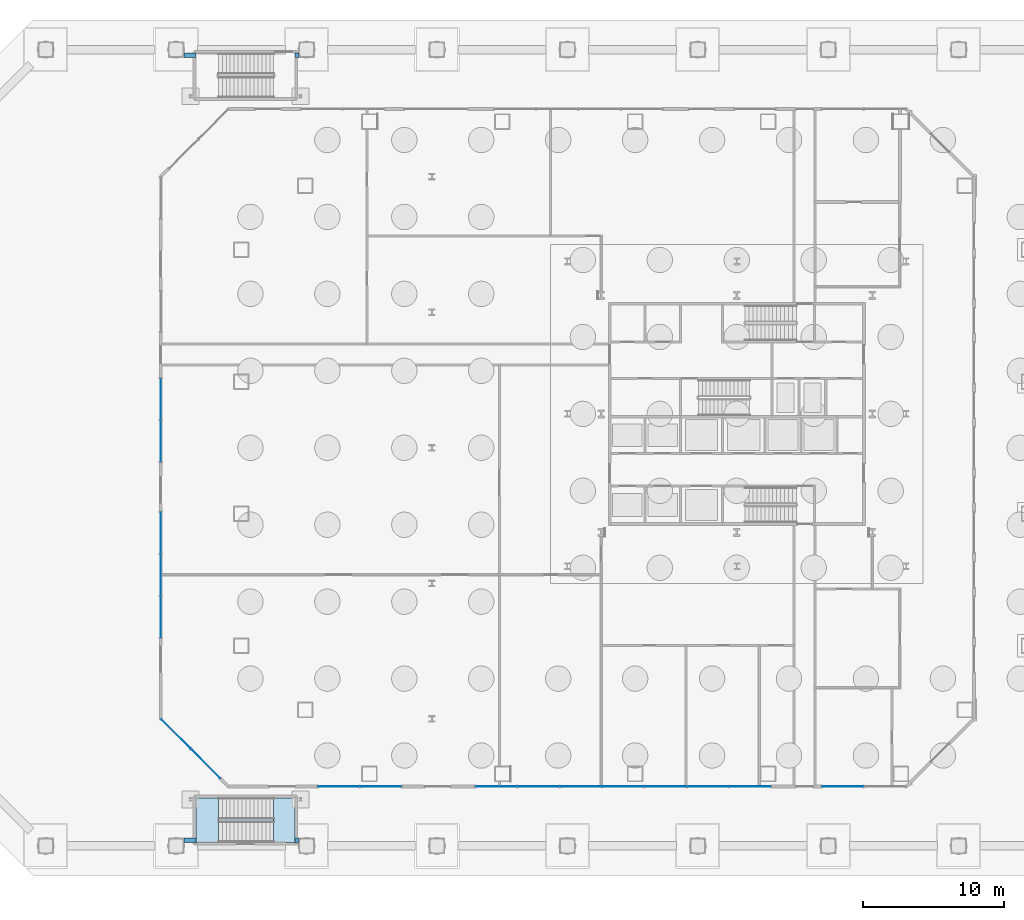
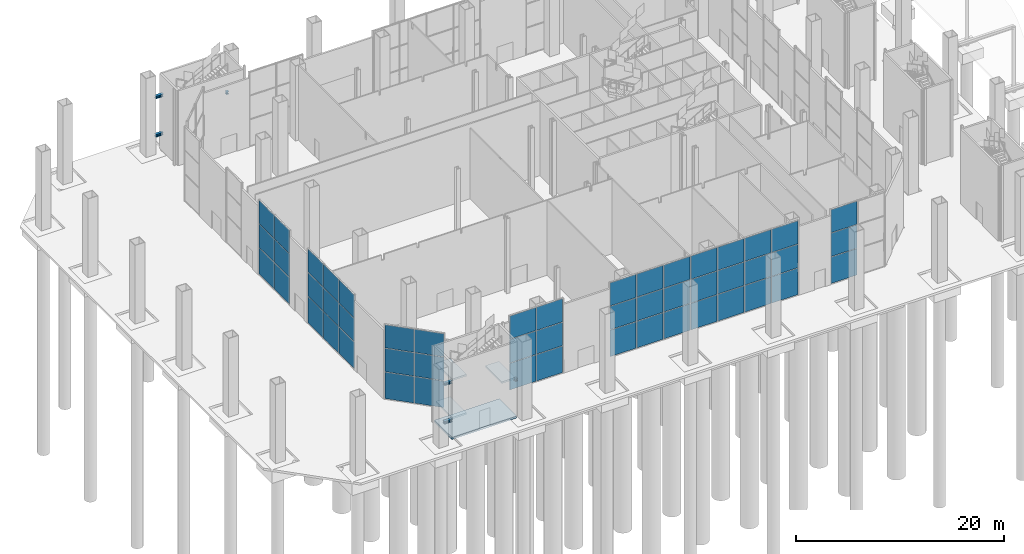
# One storey, part 20 of 38: 51 plates, 6 beams, 4 slabs, 7 elements without a shape of their own.
"""IFC4 building model written with IfcOpenShell, lengths in metres."""

from ifc_helpers import new_model, si_unit, direction, frame, origin, origin_2d, place, context, subcontext, project, spatial, polyline, rectangle, i_section, outline, extrude, material, layer, layer_set, material_profile, profile_set, type_object, element, aggregate, save


model = new_model("IFC4")

# Units and contexts
model_context = context("Model", 3, precision=1e-05, world=origin(), true_north=direction((0.0, 1.0)))
body_context = subcontext(model_context, "Body", "Model", "MODEL_VIEW")
ifc_project = project(units=[si_unit("LENGTHUNIT", "METRE"), si_unit("AREAUNIT", "SQUARE_METRE"), si_unit("VOLUMEUNIT", "CUBIC_METRE"), si_unit("PLANEANGLEUNIT", "RADIAN"), si_unit("MASSUNIT", "GRAM", prefix="KILO")], contexts=[model_context])

# Site, building, storey
site_placement = place(None, origin())
site = spatial("IfcSite", under=ifc_project, at=site_placement, CompositionType="ELEMENT")
building_placement = place(site_placement, origin())
building = spatial("IfcBuilding", under=site, at=building_placement, Name="Cairn Pilgrim Tower", CompositionType="ELEMENT")
storey_placement = place(building_placement, origin())
storey = spatial("IfcBuildingStorey", under=building, at=storey_placement, Name="L00", CompositionType="ELEMENT", Elevation=0.0)

# Beams
ifc_material_1 = material(Name="Structural steel S355J2", Category="steel")
ifc_material_profile = material_profile(ifc_material_1, i_section(OverallWidth=0.300048828125, OverallDepth=0.300048828125, WebThickness=0.010986328125, FlangeThickness=0.01904296875, FilletRadius=0.027099609375, at=origin_2d()), Name="HE 300 B")
ifc_profile_set = profile_set([ifc_material_profile], Name="Structural steel S355J2")
beam_type = type_object("IfcBeamType", Name="STAIR LANDING BRACKET HE 300 B", PredefinedType="BEAM", material=ifc_profile_set)
beam_1_placement = place(storey_placement, frame((-31.963623046875, 27.800048828125, 1.89990234375), z_axis=(1.0, 0.0, 0.0), x_axis=(0.0, 1.0, 0.0)))
element("IfcBeam", 1, at=beam_1_placement, inside=storey, type_object=beam_type, Name="STAIR LANDING BRACKET LB-HE300B", PredefinedType="BEAM", context=body_context, shape_type="SweptSolid", body=[
    extrude(i_section(OverallWidth=0.300048828125, OverallDepth=0.300048828125, WebThickness=0.010986328125, FlangeThickness=0.01904296875, FilletRadius=0.027099609375, at=origin_2d()), origin(), (0.0, 0.0, 1.0), 0.86865234375),
])
beam_2_placement = place(storey_placement, frame((-23.82568359375, 27.800048828125, 4.14990234375), z_axis=(-1.0, 0.0, 0.0), x_axis=(0.0, -1.0, 0.0)))
element("IfcBeam", 2, at=beam_2_placement, inside=storey, type_object=beam_type, Name="STAIR LANDING BRACKET LB-HE300B", PredefinedType="BEAM", context=body_context, shape_type="SweptSolid", body=[
    extrude(i_section(OverallWidth=0.300048828125, OverallDepth=0.300048828125, WebThickness=0.010986328125, FlangeThickness=0.01904296875, FilletRadius=0.027099609375, at=origin_2d()), origin(), (0.0, 0.0, 1.0), 0.279296875),
])
for number, where, z_axis, x_axis, name in (
    (3, (-31.963623046875, 27.800048828125, 6.39990234375), (1.0, 0.0, 0.0), (0.0, 1.0, 0.0), "STAIR LANDING BRACKET LB-HE300B"),
    (4, (-31.963623046875, -27.800048828125, 1.89990234375), (1.0, 0.0, 0.0), (0.0, 1.0, 0.0), "STAIR LANDING BRACKET LB-HE300B"),
):
    element("IfcBeam", number, at=place(storey_placement, frame(where, z_axis=z_axis, x_axis=x_axis)), inside=storey, type_object=beam_type, Name=name, PredefinedType="BEAM", context=body_context, shape_type="SweptSolid", body=[
        extrude(i_section(OverallWidth=0.300048828125, OverallDepth=0.300048828125, WebThickness=0.010986328125, FlangeThickness=0.01904296875, FilletRadius=0.027099609375, at=origin_2d()), origin(), (0.0, 0.0, 1.0), 0.86865234375),
    ])
beam_3_placement = place(storey_placement, frame((-23.82568359375, -27.800048828125, 4.14990234375), z_axis=(-1.0, 0.0, 0.0), x_axis=(0.0, -1.0, 0.0)))
element("IfcBeam", 5, at=beam_3_placement, inside=storey, type_object=beam_type, Name="STAIR LANDING BRACKET LB-HE300B", PredefinedType="BEAM", context=body_context, shape_type="SweptSolid", body=[
    extrude(i_section(OverallWidth=0.300048828125, OverallDepth=0.300048828125, WebThickness=0.010986328125, FlangeThickness=0.01904296875, FilletRadius=0.027099609375, at=origin_2d()), origin(), (0.0, 0.0, 1.0), 0.279296875),
])
beam_4_placement = place(storey_placement, frame((-31.963623046875, -27.800048828125, 6.39990234375), z_axis=(1.0, 0.0, 0.0), x_axis=(0.0, 1.0, 0.0)))
element("IfcBeam", 6, at=beam_4_placement, inside=storey, type_object=beam_type, Name="STAIR LANDING BRACKET LB-HE300B", PredefinedType="BEAM", context=body_context, shape_type="SweptSolid", body=[
    extrude(i_section(OverallWidth=0.300048828125, OverallDepth=0.300048828125, WebThickness=0.010986328125, FlangeThickness=0.01904296875, FilletRadius=0.027099609375, at=origin_2d()), origin(), (0.0, 0.0, 1.0), 0.86865234375),
])

# Curtain wall, plates
ifc_material_2 = material(Name="Bronze anodised aluminium with Tinted laminated low-E glass", Category="aluminium")
curtain_wall_type = type_object("IfcCurtainWallType", Name="PAVILION CW", PredefinedType="NOTDEFINED", material=ifc_material_2)
curtain_wall_1_placement = place(storey_placement, origin())
curtain_wall_1 = element("IfcCurtainWall", 7, at=curtain_wall_1_placement, inside=storey, type_object=curtain_wall_type, Name="PAVILION CW 0.2", PredefinedType="NOTDEFINED")
ifc_material_3 = material(Name="Tinted laminated low-E glass", Category="glass")
ifc_layer_1 = layer(ifc_material_3, 0.028076171875)
ifc_layer_set_1 = layer_set([ifc_layer_1], Name="PAVILION GLASS PANEL 2940x2680")
plate_type_1 = type_object("IfcPlateType", Name="PAVILION GLASS PANEL 2940x2680", PredefinedType="CURTAIN_PANEL", material=ifc_layer_set_1)
plate_1_placement = place(storey_placement, frame((-20.985107421875, -24.0, 3.22998046875), z_axis=(0.0, 0.0, 1.0), x_axis=(1.0, 0.0, 0.0)))
plate_1 = element("IfcPlate", 8, at=plate_1_placement, type_object=plate_type_1, Name="PCW-02 panel 1.2", PredefinedType="CURTAIN_PANEL", context=body_context, shape_type="SweptSolid", body=[
    extrude(rectangle(XDim=2.909912109375, YDim=0.028076171875, at=origin_2d()), origin(), (0.0, 0.0, 1.0), 2.739990234375),
])
plate_2_placement = place(storey_placement, frame((-20.985107421875, -24.0, 6.030029296875), z_axis=(0.0, 0.0, 1.0), x_axis=(1.0, 0.0, 0.0)))
plate_2 = element("IfcPlate", 9, at=plate_2_placement, type_object=plate_type_1, Name="PCW-02 panel 1.3", PredefinedType="CURTAIN_PANEL", context=body_context, shape_type="SweptSolid", body=[
    extrude(rectangle(XDim=2.909912109375, YDim=0.028076171875, at=origin_2d()), origin(), (0.0, 0.0, 1.0), 2.7099609375),
])
plate_3_placement = place(storey_placement, frame((-18.014892578125, -24.0, 3.22998046875), z_axis=(0.0, 0.0, 1.0), x_axis=(1.0, 0.0, 0.0)))
plate_3 = element("IfcPlate", 10, at=plate_3_placement, type_object=plate_type_1, Name="PCW-02 panel 2.2", PredefinedType="CURTAIN_PANEL", context=body_context, shape_type="SweptSolid", body=[
    extrude(rectangle(XDim=2.909912109375, YDim=0.028076171875, at=origin_2d()), origin(), (0.0, 0.0, 1.0), 2.739990234375),
])
plate_4_placement = place(storey_placement, frame((-18.014892578125, -24.0, 6.030029296875), z_axis=(0.0, 0.0, 1.0), x_axis=(1.0, 0.0, 0.0)))
plate_4 = element("IfcPlate", 11, at=plate_4_placement, type_object=plate_type_1, Name="PCW-02 panel 2.3", PredefinedType="CURTAIN_PANEL", context=body_context, shape_type="SweptSolid", body=[
    extrude(rectangle(XDim=2.909912109375, YDim=0.028076171875, at=origin_2d()), origin(), (0.0, 0.0, 1.0), 2.7099609375),
])

curtain_wall_2_placement = place(storey_placement, origin())
curtain_wall_2 = element("IfcCurtainWall", 12, at=curtain_wall_2_placement, inside=storey, type_object=curtain_wall_type, Name="PAVILION CW 0.4", PredefinedType="NOTDEFINED")
plate_5_placement = place(storey_placement, frame((-9.8349609375, -24.0, 3.22998046875), z_axis=(0.0, 0.0, 1.0), x_axis=(1.0, 0.0, 0.0)))
plate_5 = element("IfcPlate", 13, at=plate_5_placement, type_object=plate_type_1, Name="PCW-04 panel 1.2", PredefinedType="CURTAIN_PANEL", context=body_context, shape_type="SweptSolid", body=[
    extrude(rectangle(XDim=2.909912109375, YDim=0.028076171875, at=origin_2d()), origin(), (0.0, 0.0, 1.0), 2.739990234375),
])
plate_6_placement = place(storey_placement, frame((-9.8349609375, -24.0, 6.030029296875), z_axis=(0.0, 0.0, 1.0), x_axis=(1.0, 0.0, 0.0)))
plate_6 = element("IfcPlate", 14, at=plate_6_placement, type_object=plate_type_1, Name="PCW-04 panel 1.3", PredefinedType="CURTAIN_PANEL", context=body_context, shape_type="SweptSolid", body=[
    extrude(rectangle(XDim=2.909912109375, YDim=0.028076171875, at=origin_2d()), origin(), (0.0, 0.0, 1.0), 2.7099609375),
])
plate_7_placement = place(storey_placement, frame((-6.85009765625, -24.0, 3.22998046875), z_axis=(0.0, 0.0, 1.0), x_axis=(1.0, 0.0, 0.0)))
plate_7 = element("IfcPlate", 15, at=plate_7_placement, type_object=plate_type_1, Name="PCW-04 panel 2.2", PredefinedType="CURTAIN_PANEL", context=body_context, shape_type="SweptSolid", body=[
    extrude(rectangle(XDim=2.93994140625, YDim=0.028076171875, at=origin_2d()), origin(), (0.0, 0.0, 1.0), 2.739990234375),
])
plate_8_placement = place(storey_placement, frame((-6.85009765625, -24.0, 6.030029296875), z_axis=(0.0, 0.0, 1.0), x_axis=(1.0, 0.0, 0.0)))
plate_8 = element("IfcPlate", 16, at=plate_8_placement, type_object=plate_type_1, Name="PCW-04 panel 2.3", PredefinedType="CURTAIN_PANEL", context=body_context, shape_type="SweptSolid", body=[
    extrude(rectangle(XDim=2.93994140625, YDim=0.028076171875, at=origin_2d()), origin(), (0.0, 0.0, 1.0), 2.7099609375),
])
plate_9_placement = place(storey_placement, frame((-3.85009765625, -24.0, 3.22998046875), z_axis=(0.0, 0.0, 1.0), x_axis=(1.0, 0.0, 0.0)))
plate_9 = element("IfcPlate", 17, at=plate_9_placement, type_object=plate_type_1, Name="PCW-04 panel 3.2", PredefinedType="CURTAIN_PANEL", context=body_context, shape_type="SweptSolid", body=[
    extrude(rectangle(XDim=2.93994140625, YDim=0.028076171875, at=origin_2d()), origin(), (0.0, 0.0, 1.0), 2.739990234375),
])
plate_10_placement = place(storey_placement, frame((-3.85009765625, -24.0, 6.030029296875), z_axis=(0.0, 0.0, 1.0), x_axis=(1.0, 0.0, 0.0)))
plate_10 = element("IfcPlate", 18, at=plate_10_placement, type_object=plate_type_1, Name="PCW-04 panel 3.3", PredefinedType="CURTAIN_PANEL", context=body_context, shape_type="SweptSolid", body=[
    extrude(rectangle(XDim=2.93994140625, YDim=0.028076171875, at=origin_2d()), origin(), (0.0, 0.0, 1.0), 2.7099609375),
])
plate_11_placement = place(storey_placement, frame((-0.85009765625, -24.0, 3.22998046875), z_axis=(0.0, 0.0, 1.0), x_axis=(1.0, 0.0, 0.0)))
plate_11 = element("IfcPlate", 19, at=plate_11_placement, type_object=plate_type_1, Name="PCW-04 panel 4.2", PredefinedType="CURTAIN_PANEL", context=body_context, shape_type="SweptSolid", body=[
    extrude(rectangle(XDim=2.93994140625, YDim=0.028076171875, at=origin_2d()), origin(), (0.0, 0.0, 1.0), 2.739990234375),
])
plate_12_placement = place(storey_placement, frame((-0.85009765625, -24.0, 6.030029296875), z_axis=(0.0, 0.0, 1.0), x_axis=(1.0, 0.0, 0.0)))
plate_12 = element("IfcPlate", 20, at=plate_12_placement, type_object=plate_type_1, Name="PCW-04 panel 4.3", PredefinedType="CURTAIN_PANEL", context=body_context, shape_type="SweptSolid", body=[
    extrude(rectangle(XDim=2.93994140625, YDim=0.028076171875, at=origin_2d()), origin(), (0.0, 0.0, 1.0), 2.7099609375),
])
plate_13_placement = place(storey_placement, frame((2.14990234375, -24.0, 3.22998046875), z_axis=(0.0, 0.0, 1.0), x_axis=(1.0, 0.0, 0.0)))
plate_13 = element("IfcPlate", 21, at=plate_13_placement, type_object=plate_type_1, Name="PCW-04 panel 5.2", PredefinedType="CURTAIN_PANEL", context=body_context, shape_type="SweptSolid", body=[
    extrude(rectangle(XDim=2.93994140625, YDim=0.028076171875, at=origin_2d()), origin(), (0.0, 0.0, 1.0), 2.739990234375),
])
plate_14_placement = place(storey_placement, frame((2.14990234375, -24.0, 6.030029296875), z_axis=(0.0, 0.0, 1.0), x_axis=(1.0, 0.0, 0.0)))
plate_14 = element("IfcPlate", 22, at=plate_14_placement, type_object=plate_type_1, Name="PCW-04 panel 5.3", PredefinedType="CURTAIN_PANEL", context=body_context, shape_type="SweptSolid", body=[
    extrude(rectangle(XDim=2.93994140625, YDim=0.028076171875, at=origin_2d()), origin(), (0.0, 0.0, 1.0), 2.7099609375),
])
plate_15_placement = place(storey_placement, frame((5.14990234375, -24.0, 3.22998046875), z_axis=(0.0, 0.0, 1.0), x_axis=(1.0, 0.0, 0.0)))
plate_15 = element("IfcPlate", 23, at=plate_15_placement, type_object=plate_type_1, Name="PCW-04 panel 6.2", PredefinedType="CURTAIN_PANEL", context=body_context, shape_type="SweptSolid", body=[
    extrude(rectangle(XDim=2.93994140625, YDim=0.028076171875, at=origin_2d()), origin(), (0.0, 0.0, 1.0), 2.739990234375),
])
plate_16_placement = place(storey_placement, frame((5.14990234375, -24.0, 6.030029296875), z_axis=(0.0, 0.0, 1.0), x_axis=(1.0, 0.0, 0.0)))
plate_16 = element("IfcPlate", 24, at=plate_16_placement, type_object=plate_type_1, Name="PCW-04 panel 6.3", PredefinedType="CURTAIN_PANEL", context=body_context, shape_type="SweptSolid", body=[
    extrude(rectangle(XDim=2.93994140625, YDim=0.028076171875, at=origin_2d()), origin(), (0.0, 0.0, 1.0), 2.7099609375),
])
plate_17_placement = place(storey_placement, frame((8.135009765625, -24.0, 3.22998046875), z_axis=(0.0, 0.0, 1.0), x_axis=(1.0, 0.0, 0.0)))
plate_17 = element("IfcPlate", 25, at=plate_17_placement, type_object=plate_type_1, Name="PCW-04 panel 7.2", PredefinedType="CURTAIN_PANEL", context=body_context, shape_type="SweptSolid", body=[
    extrude(rectangle(XDim=2.909912109375, YDim=0.028076171875, at=origin_2d()), origin(), (0.0, 0.0, 1.0), 2.739990234375),
])
plate_18_placement = place(storey_placement, frame((8.135009765625, -24.0, 6.030029296875), z_axis=(0.0, 0.0, 1.0), x_axis=(1.0, 0.0, 0.0)))
plate_18 = element("IfcPlate", 26, at=plate_18_placement, type_object=plate_type_1, Name="PCW-04 panel 7.3", PredefinedType="CURTAIN_PANEL", context=body_context, shape_type="SweptSolid", body=[
    extrude(rectangle(XDim=2.909912109375, YDim=0.028076171875, at=origin_2d()), origin(), (0.0, 0.0, 1.0), 2.7099609375),
])

curtain_wall_3_placement = place(storey_placement, origin())
curtain_wall_3 = element("IfcCurtainWall", 27, at=curtain_wall_3_placement, inside=storey, type_object=curtain_wall_type, Name="PAVILION CW 0.6", PredefinedType="NOTDEFINED")
plate_19_placement = place(storey_placement, frame((14.715087890625, -24.0, 3.22998046875), z_axis=(0.0, 0.0, 1.0), x_axis=(1.0, 0.0, 0.0)))
plate_19 = element("IfcPlate", 28, at=plate_19_placement, type_object=plate_type_1, Name="PCW-06 panel 1.2", PredefinedType="CURTAIN_PANEL", context=body_context, shape_type="SweptSolid", body=[
    extrude(rectangle(XDim=2.909912109375, YDim=0.028076171875, at=origin_2d()), origin(), (0.0, 0.0, 1.0), 2.739990234375),
])
plate_20_placement = place(storey_placement, frame((14.715087890625, -24.0, 6.030029296875), z_axis=(0.0, 0.0, 1.0), x_axis=(1.0, 0.0, 0.0)))
plate_20 = element("IfcPlate", 29, at=plate_20_placement, type_object=plate_type_1, Name="PCW-06 panel 1.3", PredefinedType="CURTAIN_PANEL", context=body_context, shape_type="SweptSolid", body=[
    extrude(rectangle(XDim=2.909912109375, YDim=0.028076171875, at=origin_2d()), origin(), (0.0, 0.0, 1.0), 2.7099609375),
])

curtain_wall_4_placement = place(storey_placement, origin())
curtain_wall_4 = element("IfcCurtainWall", 30, at=curtain_wall_4_placement, inside=storey, type_object=curtain_wall_type, Name="PAVILION CW 6.5", PredefinedType="NOTDEFINED")
plate_21_placement = place(storey_placement, frame((-33.60009765625, 3.43505859375, 3.22998046875), z_axis=(0.0, 0.0, 1.0), x_axis=(0.0, -1.0, 0.0)))
plate_21 = element("IfcPlate", 31, at=plate_21_placement, type_object=plate_type_1, Name="PCW-65 panel 1.2", PredefinedType="CURTAIN_PANEL", context=body_context, shape_type="SweptSolid", body=[
    extrude(rectangle(XDim=2.909912109375, YDim=0.028076171875, at=origin_2d()), origin(), (0.0, 0.0, 1.0), 2.739990234375),
])
plate_22_placement = place(storey_placement, frame((-33.60009765625, 3.43505859375, 6.030029296875), z_axis=(0.0, 0.0, 1.0), x_axis=(0.0, -1.0, 0.0)))
plate_22 = element("IfcPlate", 32, at=plate_22_placement, type_object=plate_type_1, Name="PCW-65 panel 1.3", PredefinedType="CURTAIN_PANEL", context=body_context, shape_type="SweptSolid", body=[
    extrude(rectangle(XDim=2.909912109375, YDim=0.028076171875, at=origin_2d()), origin(), (0.0, 0.0, 1.0), 2.7099609375),
])
plate_23_placement = place(storey_placement, frame((-33.60009765625, 0.465087890625, 3.22998046875), z_axis=(0.0, 0.0, 1.0), x_axis=(0.0, -1.0, 0.0)))
plate_23 = element("IfcPlate", 33, at=plate_23_placement, type_object=plate_type_1, Name="PCW-65 panel 2.2", PredefinedType="CURTAIN_PANEL", context=body_context, shape_type="SweptSolid", body=[
    extrude(rectangle(XDim=2.909912109375, YDim=0.028076171875, at=origin_2d()), origin(), (0.0, 0.0, 1.0), 2.739990234375),
])
plate_24_placement = place(storey_placement, frame((-33.60009765625, 0.465087890625, 6.030029296875), z_axis=(0.0, 0.0, 1.0), x_axis=(0.0, -1.0, 0.0)))
plate_24 = element("IfcPlate", 34, at=plate_24_placement, type_object=plate_type_1, Name="PCW-65 panel 2.3", PredefinedType="CURTAIN_PANEL", context=body_context, shape_type="SweptSolid", body=[
    extrude(rectangle(XDim=2.909912109375, YDim=0.028076171875, at=origin_2d()), origin(), (0.0, 0.0, 1.0), 2.7099609375),
])

curtain_wall_5_placement = place(storey_placement, origin())
curtain_wall_5 = element("IfcCurtainWall", 35, at=curtain_wall_5_placement, inside=storey, type_object=curtain_wall_type, Name="PAVILION CW 6.7", PredefinedType="NOTDEFINED")
plate_25_placement = place(storey_placement, frame((-33.60009765625, -6.014892578125, 3.22998046875), z_axis=(0.0, 0.0, 1.0), x_axis=(0.0, -1.0, 0.0)))
plate_25 = element("IfcPlate", 36, at=plate_25_placement, type_object=plate_type_1, Name="PCW-67 panel 1.2", PredefinedType="CURTAIN_PANEL", context=body_context, shape_type="SweptSolid", body=[
    extrude(rectangle(XDim=2.909912109375, YDim=0.028076171875, at=origin_2d()), origin(), (0.0, 0.0, 1.0), 2.739990234375),
])
plate_26_placement = place(storey_placement, frame((-33.60009765625, -6.014892578125, 6.030029296875), z_axis=(0.0, 0.0, 1.0), x_axis=(0.0, -1.0, 0.0)))
plate_26 = element("IfcPlate", 37, at=plate_26_placement, type_object=plate_type_1, Name="PCW-67 panel 1.3", PredefinedType="CURTAIN_PANEL", context=body_context, shape_type="SweptSolid", body=[
    extrude(rectangle(XDim=2.909912109375, YDim=0.028076171875, at=origin_2d()), origin(), (0.0, 0.0, 1.0), 2.7099609375),
])
plate_27_placement = place(storey_placement, frame((-33.60009765625, -9.0, 3.22998046875), z_axis=(0.0, 0.0, 1.0), x_axis=(0.0, -1.0, 0.0)))
plate_27 = element("IfcPlate", 38, at=plate_27_placement, type_object=plate_type_1, Name="PCW-67 panel 2.2", PredefinedType="CURTAIN_PANEL", context=body_context, shape_type="SweptSolid", body=[
    extrude(rectangle(XDim=2.93994140625, YDim=0.028076171875, at=origin_2d()), origin(), (0.0, 0.0, 1.0), 2.739990234375),
])
plate_28_placement = place(storey_placement, frame((-33.60009765625, -9.0, 6.030029296875), z_axis=(0.0, 0.0, 1.0), x_axis=(0.0, -1.0, 0.0)))
plate_28 = element("IfcPlate", 39, at=plate_28_placement, type_object=plate_type_1, Name="PCW-67 panel 2.3", PredefinedType="CURTAIN_PANEL", context=body_context, shape_type="SweptSolid", body=[
    extrude(rectangle(XDim=2.93994140625, YDim=0.028076171875, at=origin_2d()), origin(), (0.0, 0.0, 1.0), 2.7099609375),
])
plate_29_placement = place(storey_placement, frame((-33.60009765625, -11.985107421875, 3.22998046875), z_axis=(0.0, 0.0, 1.0), x_axis=(0.0, -1.0, 0.0)))
plate_29 = element("IfcPlate", 40, at=plate_29_placement, type_object=plate_type_1, Name="PCW-67 panel 3.2", PredefinedType="CURTAIN_PANEL", context=body_context, shape_type="SweptSolid", body=[
    extrude(rectangle(XDim=2.909912109375, YDim=0.028076171875, at=origin_2d()), origin(), (0.0, 0.0, 1.0), 2.739990234375),
])
plate_30_placement = place(storey_placement, frame((-33.60009765625, -11.985107421875, 6.030029296875), z_axis=(0.0, 0.0, 1.0), x_axis=(0.0, -1.0, 0.0)))
plate_30 = element("IfcPlate", 41, at=plate_30_placement, type_object=plate_type_1, Name="PCW-67 panel 3.3", PredefinedType="CURTAIN_PANEL", context=body_context, shape_type="SweptSolid", body=[
    extrude(rectangle(XDim=2.909912109375, YDim=0.028076171875, at=origin_2d()), origin(), (0.0, 0.0, 1.0), 2.7099609375),
])

curtain_wall_6_placement = place(storey_placement, origin())
curtain_wall_6 = element("IfcCurtainWall", 42, at=curtain_wall_6_placement, inside=storey, type_object=curtain_wall_type, Name="PAVILION CW 7.1", PredefinedType="NOTDEFINED")
plate_31_placement = place(storey_placement, frame((-32.52880859375, -20.271240234375, 3.22998046875), z_axis=(0.0, 0.0, 1.0), x_axis=(0.707106781187, -0.707106781187, 0.0)))
plate_31 = element("IfcPlate", 43, at=plate_31_placement, type_object=plate_type_1, Name="PCW-71 panel 1.2", PredefinedType="CURTAIN_PANEL", context=body_context, shape_type="SweptSolid", body=[
    extrude(rectangle(XDim=2.909912109375, YDim=0.028076171875, at=origin_2d()), origin(), (0.0, 0.0, 1.0), 2.739990234375),
])
plate_32_placement = place(storey_placement, frame((-32.52880859375, -20.271240234375, 6.030029296875), z_axis=(0.0, 0.0, 1.0), x_axis=(0.707106781187, -0.707106781187, 0.0)))
plate_32 = element("IfcPlate", 44, at=plate_32_placement, type_object=plate_type_1, Name="PCW-71 panel 1.3", PredefinedType="CURTAIN_PANEL", context=body_context, shape_type="SweptSolid", body=[
    extrude(rectangle(XDim=2.909912109375, YDim=0.028076171875, at=origin_2d()), origin(), (0.0, 0.0, 1.0), 2.7099609375),
])
plate_33_placement = place(storey_placement, frame((-30.4287109375, -22.371337890625, 3.22998046875), z_axis=(0.0, 0.0, 1.0), x_axis=(0.707106781187, -0.707106781187, 0.0)))
plate_33 = element("IfcPlate", 45, at=plate_33_placement, type_object=plate_type_1, Name="PCW-71 panel 2.2", PredefinedType="CURTAIN_PANEL", context=body_context, shape_type="SweptSolid", body=[
    extrude(rectangle(XDim=2.909912109375, YDim=0.028076171875, at=origin_2d()), origin(), (0.0, 0.0, 1.0), 2.739990234375),
])
plate_34_placement = place(storey_placement, frame((-30.4287109375, -22.371337890625, 6.030029296875), z_axis=(0.0, 0.0, 1.0), x_axis=(0.707106781187, -0.707106781187, 0.0)))
plate_34 = element("IfcPlate", 46, at=plate_34_placement, type_object=plate_type_1, Name="PCW-71 panel 2.3", PredefinedType="CURTAIN_PANEL", context=body_context, shape_type="SweptSolid", body=[
    extrude(rectangle(XDim=2.909912109375, YDim=0.028076171875, at=origin_2d()), origin(), (0.0, 0.0, 1.0), 2.7099609375),
])

# Plate
ifc_layer_2 = layer(ifc_material_3, 0.028076171875)
ifc_layer_set_2 = layer_set([ifc_layer_2], Name="PAVILION GLASS PANEL 2940x3020")
plate_type_2 = type_object("IfcPlateType", Name="PAVILION GLASS PANEL 2940x3020", PredefinedType="CURTAIN_PANEL", material=ifc_layer_set_2)
plate_35_placement = place(storey_placement, frame((-20.985107421875, -24.0, 0.06005859375), z_axis=(0.0, 0.0, 1.0), x_axis=(1.0, 0.0, 0.0)))
plate_35 = element("IfcPlate", 47, at=plate_35_placement, type_object=plate_type_2, Name="PCW-02 panel 1.1", PredefinedType="CURTAIN_PANEL", context=body_context, shape_type="SweptSolid", body=[
    extrude(rectangle(XDim=2.909912109375, YDim=0.028076171875, at=origin_2d()), origin(), (0.0, 0.0, 1.0), 3.110107421875),
])

plate_36_placement = place(storey_placement, frame((-18.014892578125, -24.0, 0.06005859375), z_axis=(0.0, 0.0, 1.0), x_axis=(1.0, 0.0, 0.0)))
plate_36 = element("IfcPlate", 48, at=plate_36_placement, type_object=plate_type_2, Name="PCW-02 panel 2.1", PredefinedType="CURTAIN_PANEL", context=body_context, shape_type="SweptSolid", body=[
    extrude(rectangle(XDim=2.909912109375, YDim=0.028076171875, at=origin_2d()), origin(), (0.0, 0.0, 1.0), 3.110107421875),
])

aggregate(curtain_wall_1, [plate_35, plate_1, plate_2, plate_36, plate_3, plate_4])

plate_37_placement = place(storey_placement, frame((-9.8349609375, -24.0, 0.06005859375), z_axis=(0.0, 0.0, 1.0), x_axis=(1.0, 0.0, 0.0)))
plate_37 = element("IfcPlate", 49, at=plate_37_placement, type_object=plate_type_2, Name="PCW-04 panel 1.1", PredefinedType="CURTAIN_PANEL", context=body_context, shape_type="SweptSolid", body=[
    extrude(rectangle(XDim=2.909912109375, YDim=0.028076171875, at=origin_2d()), origin(), (0.0, 0.0, 1.0), 3.110107421875),
])

plate_38_placement = place(storey_placement, frame((-6.85009765625, -24.0, 0.06005859375), z_axis=(0.0, 0.0, 1.0), x_axis=(1.0, 0.0, 0.0)))
plate_38 = element("IfcPlate", 50, at=plate_38_placement, type_object=plate_type_2, Name="PCW-04 panel 2.1", PredefinedType="CURTAIN_PANEL", context=body_context, shape_type="SweptSolid", body=[
    extrude(rectangle(XDim=2.93994140625, YDim=0.028076171875, at=origin_2d()), origin(), (0.0, 0.0, 1.0), 3.110107421875),
])

plate_39_placement = place(storey_placement, frame((-3.85009765625, -24.0, 0.06005859375), z_axis=(0.0, 0.0, 1.0), x_axis=(1.0, 0.0, 0.0)))
plate_39 = element("IfcPlate", 51, at=plate_39_placement, type_object=plate_type_2, Name="PCW-04 panel 3.1", PredefinedType="CURTAIN_PANEL", context=body_context, shape_type="SweptSolid", body=[
    extrude(rectangle(XDim=2.93994140625, YDim=0.028076171875, at=origin_2d()), origin(), (0.0, 0.0, 1.0), 3.110107421875),
])

plate_40_placement = place(storey_placement, frame((-0.85009765625, -24.0, 0.06005859375), z_axis=(0.0, 0.0, 1.0), x_axis=(1.0, 0.0, 0.0)))
plate_40 = element("IfcPlate", 52, at=plate_40_placement, type_object=plate_type_2, Name="PCW-04 panel 4.1", PredefinedType="CURTAIN_PANEL", context=body_context, shape_type="SweptSolid", body=[
    extrude(rectangle(XDim=2.93994140625, YDim=0.028076171875, at=origin_2d()), origin(), (0.0, 0.0, 1.0), 3.110107421875),
])

plate_41_placement = place(storey_placement, frame((2.14990234375, -24.0, 0.06005859375), z_axis=(0.0, 0.0, 1.0), x_axis=(1.0, 0.0, 0.0)))
plate_41 = element("IfcPlate", 53, at=plate_41_placement, type_object=plate_type_2, Name="PCW-04 panel 5.1", PredefinedType="CURTAIN_PANEL", context=body_context, shape_type="SweptSolid", body=[
    extrude(rectangle(XDim=2.93994140625, YDim=0.028076171875, at=origin_2d()), origin(), (0.0, 0.0, 1.0), 3.110107421875),
])

plate_42_placement = place(storey_placement, frame((5.14990234375, -24.0, 0.06005859375), z_axis=(0.0, 0.0, 1.0), x_axis=(1.0, 0.0, 0.0)))
plate_42 = element("IfcPlate", 54, at=plate_42_placement, type_object=plate_type_2, Name="PCW-04 panel 6.1", PredefinedType="CURTAIN_PANEL", context=body_context, shape_type="SweptSolid", body=[
    extrude(rectangle(XDim=2.93994140625, YDim=0.028076171875, at=origin_2d()), origin(), (0.0, 0.0, 1.0), 3.110107421875),
])

plate_43_placement = place(storey_placement, frame((8.135009765625, -24.0, 0.06005859375), z_axis=(0.0, 0.0, 1.0), x_axis=(1.0, 0.0, 0.0)))
plate_43 = element("IfcPlate", 55, at=plate_43_placement, type_object=plate_type_2, Name="PCW-04 panel 7.1", PredefinedType="CURTAIN_PANEL", context=body_context, shape_type="SweptSolid", body=[
    extrude(rectangle(XDim=2.909912109375, YDim=0.028076171875, at=origin_2d()), origin(), (0.0, 0.0, 1.0), 3.110107421875),
])

aggregate(curtain_wall_2, [plate_37, plate_5, plate_6, plate_38, plate_7, plate_8, plate_39, plate_9, plate_10, plate_40, plate_11, plate_12, plate_41, plate_13, plate_14, plate_42, plate_15, plate_16, plate_43, plate_17, plate_18])

plate_44_placement = place(storey_placement, frame((14.715087890625, -24.0, 0.06005859375), z_axis=(0.0, 0.0, 1.0), x_axis=(1.0, 0.0, 0.0)))
plate_44 = element("IfcPlate", 56, at=plate_44_placement, type_object=plate_type_2, Name="PCW-06 panel 1.1", PredefinedType="CURTAIN_PANEL", context=body_context, shape_type="SweptSolid", body=[
    extrude(rectangle(XDim=2.909912109375, YDim=0.028076171875, at=origin_2d()), origin(), (0.0, 0.0, 1.0), 3.110107421875),
])

aggregate(curtain_wall_3, [plate_44, plate_19, plate_20])

plate_45_placement = place(storey_placement, frame((-33.60009765625, 3.43505859375, 0.06005859375), z_axis=(0.0, 0.0, 1.0), x_axis=(0.0, -1.0, 0.0)))
plate_45 = element("IfcPlate", 57, at=plate_45_placement, type_object=plate_type_2, Name="PCW-65 panel 1.1", PredefinedType="CURTAIN_PANEL", context=body_context, shape_type="SweptSolid", body=[
    extrude(rectangle(XDim=2.909912109375, YDim=0.028076171875, at=origin_2d()), origin(), (0.0, 0.0, 1.0), 3.110107421875),
])

plate_46_placement = place(storey_placement, frame((-33.60009765625, 0.465087890625, 0.06005859375), z_axis=(0.0, 0.0, 1.0), x_axis=(0.0, -1.0, 0.0)))
plate_46 = element("IfcPlate", 58, at=plate_46_placement, type_object=plate_type_2, Name="PCW-65 panel 2.1", PredefinedType="CURTAIN_PANEL", context=body_context, shape_type="SweptSolid", body=[
    extrude(rectangle(XDim=2.909912109375, YDim=0.028076171875, at=origin_2d()), origin(), (0.0, 0.0, 1.0), 3.110107421875),
])

aggregate(curtain_wall_4, [plate_45, plate_21, plate_22, plate_46, plate_23, plate_24])

plate_47_placement = place(storey_placement, frame((-33.60009765625, -6.014892578125, 0.06005859375), z_axis=(0.0, 0.0, 1.0), x_axis=(0.0, -1.0, 0.0)))
plate_47 = element("IfcPlate", 59, at=plate_47_placement, type_object=plate_type_2, Name="PCW-67 panel 1.1", PredefinedType="CURTAIN_PANEL", context=body_context, shape_type="SweptSolid", body=[
    extrude(rectangle(XDim=2.909912109375, YDim=0.028076171875, at=origin_2d()), origin(), (0.0, 0.0, 1.0), 3.110107421875),
])

plate_48_placement = place(storey_placement, frame((-33.60009765625, -9.0, 0.06005859375), z_axis=(0.0, 0.0, 1.0), x_axis=(0.0, -1.0, 0.0)))
plate_48 = element("IfcPlate", 60, at=plate_48_placement, type_object=plate_type_2, Name="PCW-67 panel 2.1", PredefinedType="CURTAIN_PANEL", context=body_context, shape_type="SweptSolid", body=[
    extrude(rectangle(XDim=2.93994140625, YDim=0.028076171875, at=origin_2d()), origin(), (0.0, 0.0, 1.0), 3.110107421875),
])

plate_49_placement = place(storey_placement, frame((-33.60009765625, -11.985107421875, 0.06005859375), z_axis=(0.0, 0.0, 1.0), x_axis=(0.0, -1.0, 0.0)))
plate_49 = element("IfcPlate", 61, at=plate_49_placement, type_object=plate_type_2, Name="PCW-67 panel 3.1", PredefinedType="CURTAIN_PANEL", context=body_context, shape_type="SweptSolid", body=[
    extrude(rectangle(XDim=2.909912109375, YDim=0.028076171875, at=origin_2d()), origin(), (0.0, 0.0, 1.0), 3.110107421875),
])

aggregate(curtain_wall_5, [plate_47, plate_25, plate_26, plate_48, plate_27, plate_28, plate_49, plate_29, plate_30])

plate_50_placement = place(storey_placement, frame((-32.52880859375, -20.271240234375, 0.06005859375), z_axis=(0.0, 0.0, 1.0), x_axis=(0.707106781187, -0.707106781187, 0.0)))
plate_50 = element("IfcPlate", 62, at=plate_50_placement, type_object=plate_type_2, Name="PCW-71 panel 1.1", PredefinedType="CURTAIN_PANEL", context=body_context, shape_type="SweptSolid", body=[
    extrude(rectangle(XDim=2.909912109375, YDim=0.028076171875, at=origin_2d()), origin(), (0.0, 0.0, 1.0), 3.110107421875),
])

plate_51_placement = place(storey_placement, frame((-30.4287109375, -22.371337890625, 0.06005859375), z_axis=(0.0, 0.0, 1.0), x_axis=(0.707106781187, -0.707106781187, 0.0)))
plate_51 = element("IfcPlate", 63, at=plate_51_placement, type_object=plate_type_2, Name="PCW-71 panel 2.1", PredefinedType="CURTAIN_PANEL", context=body_context, shape_type="SweptSolid", body=[
    extrude(rectangle(XDim=2.909912109375, YDim=0.028076171875, at=origin_2d()), origin(), (0.0, 0.0, 1.0), 3.110107421875),
])

aggregate(curtain_wall_6, [plate_50, plate_31, plate_32, plate_51, plate_33, plate_34])

# Stair, slabs
ifc_material_4 = material(Name="Concrete C35/45", Category="concrete")
stair_type = type_object("IfcStairType", Name="PODIUM EXIT STAIR 1500", PredefinedType="HALF_TURN_STAIR", material=ifc_material_4)
stair_placement = place(storey_placement, origin())
stair = element("IfcStair", 64, at=stair_placement, inside=storey, type_object=stair_type, Name="L00 Exit Stair Hs", PredefinedType="HALF_TURN_STAIR")
ifc_layer_3 = layer(ifc_material_4, 0.199951171875)
ifc_layer_set_3 = layer_set([ifc_layer_3], Name="PODIUM STAIR LANDING 200")
slab_type_1 = type_object("IfcSlabType", Name="PODIUM STAIR LANDING 200", PredefinedType="LANDING", material=ifc_layer_set_3)
slab_1_placement = place(storey_placement, frame((0.0, 0.0, 2.050048828125)))
slab_1 = element("IfcSlab", 65, at=slab_1_placement, type_object=slab_type_1, Name="ST-HS landing 1", PredefinedType="LANDING", context=body_context, shape_type="SweptSolid", body=[
    extrude(outline(polyline([(-29.52001953125, -24.800048828125), (-31.10009765625, -24.800048828125), (-31.10009765625, -27.949951171875), (-29.52001953125, -27.949951171875), (-29.52001953125, -24.800048828125)])), origin(), (0.0, 0.0, 1.0), 0.199951171875),
])
slab_2_placement = place(storey_placement, frame((0.0, 0.0, 4.300048828125)))
slab_2 = element("IfcSlab", 66, at=slab_2_placement, type_object=slab_type_1, Name="ST-HS landing 2", PredefinedType="LANDING", context=body_context, shape_type="SweptSolid", body=[
    extrude(outline(polyline([(-24.10009765625, -24.800048828125), (-25.60009765625, -24.800048828125), (-25.60009765625, -27.949951171875), (-24.10009765625, -27.949951171875), (-24.10009765625, -24.800048828125)])), origin(), (0.0, 0.0, 1.0), 0.199951171875),
])
slab_3_placement = place(storey_placement, frame((0.0, 0.0, 6.550048828125)))
slab_3 = element("IfcSlab", 67, at=slab_3_placement, type_object=slab_type_1, Name="ST-HS landing 3", PredefinedType="LANDING", context=body_context, shape_type="SweptSolid", body=[
    extrude(outline(polyline([(-29.52001953125, -24.800048828125), (-31.10009765625, -24.800048828125), (-31.10009765625, -27.949951171875), (-29.52001953125, -27.949951171875), (-29.52001953125, -24.800048828125)])), origin(), (0.0, 0.0, 1.0), 0.199951171875),
])
aggregate(stair, [slab_1, slab_2, slab_3])

# Slab
ifc_material_5 = material(Name="Concrete C32/40", Category="concrete")
ifc_layer_4 = layer(ifc_material_5, 0.25)
ifc_layer_set_4 = layer_set([ifc_layer_4], Name="STAIR GROUND SLAB 250")
slab_type_2 = type_object("IfcSlabType", Name="STAIR GROUND SLAB 250", PredefinedType="BASESLAB", material=ifc_layer_set_4)
slab_4_placement = place(storey_placement, frame((0.0, 0.0, -0.25)))
element("IfcSlab", 68, at=slab_4_placement, inside=storey, type_object=slab_type_2, Name="HS STAIR GROUND SLAB", PredefinedType="BASESLAB", context=body_context, shape_type="SweptSolid", body=[
    extrude(outline(polyline([(-31.199951171875, -28.050048828125), (-24.0, -28.050048828125), (-24.0, -24.699951171875), (-31.199951171875, -24.699951171875), (-31.199951171875, -28.050048828125)])), origin(), (0.0, 0.0, 1.0), 0.25),
])

save(model, "model.ifc")
